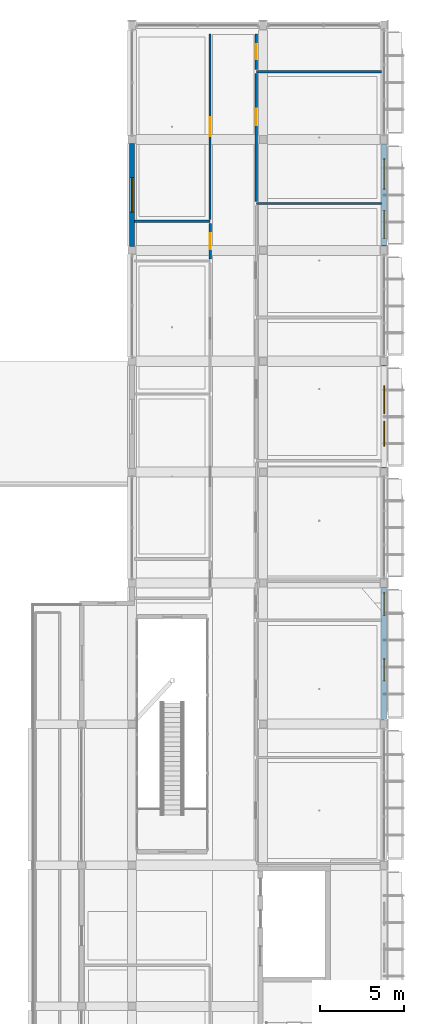
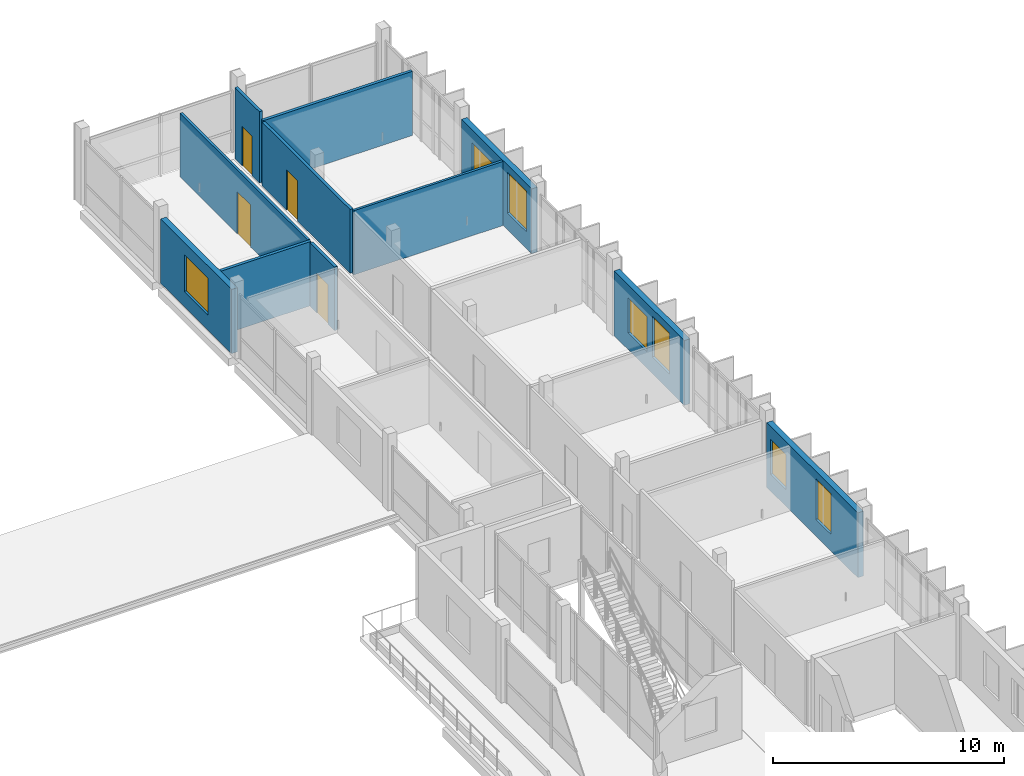
# One storey, part 62 of 86: 11 walls, 7 windows, 4 doors, 11 openings.
"""IFC4 building model written with IfcOpenShell, lengths in metres."""

from ifc_helpers import new_model, si_unit, derived_unit, direction, frame, frame_2d, origin, origin_with_axes, place, context, subcontext, project, spatial, rectangle, extrude, material, layer, layer_set, type_object, element, fill, save


model = new_model("IFC4")

# Units and contexts
model_context = context("Model", 3, precision=1e-05, world=origin(), true_north=direction((0.0, 1.0)))
body_context = subcontext(model_context, "Body", "Model", "MODEL_VIEW")
ifc_project = project(units=[si_unit("LENGTHUNIT", "METRE"), si_unit("AREAUNIT", "SQUARE_METRE"), si_unit("VOLUMEUNIT", "CUBIC_METRE"), si_unit("PLANEANGLEUNIT", "RADIAN"), si_unit("MASSUNIT", "GRAM", prefix="KILO"), derived_unit("THERMALTRANSMITTANCEUNIT", [(si_unit("POWERUNIT", "WATT"), 1), (si_unit("LENGTHUNIT", "METRE"), -2), (si_unit("THERMODYNAMICTEMPERATUREUNIT", "KELVIN"), -1)])], contexts=[model_context])

# Site, building, storey
site_placement = place(None, origin())
site = spatial("IfcSite", under=ifc_project, at=site_placement, CompositionType="ELEMENT")
building_placement = place(site_placement, origin())
building = spatial("IfcBuilding", under=site, at=building_placement, Name="Braskholm Square Health Centre", CompositionType="ELEMENT")
storey_placement = place(building_placement, frame((0.0, 0.0, 13.5)))
storey = spatial("IfcBuildingStorey", under=building, at=storey_placement, Name="L04", CompositionType="ELEMENT", Elevation=13.5)

# Wall
ifc_material_1 = material(Name="Acoustic gypsum board partition")
ifc_layer_1 = layer(ifc_material_1, 0.125)
ifc_layer_set_1 = layer_set([ifc_layer_1], Name="Acoustic gypsum board partition")
wall_type_1 = type_object("IfcWallType", Name="ClinicalExamPartition125", PredefinedType="PARTITIONING", material=ifc_layer_set_1)
wall_1_placement = place(storey_placement, frame((156.199951171875, 103.18994140625, 0.0), z_axis=(0.0, 0.0, 1.0), x_axis=(1.0, 0.0, 0.0)))
element("IfcWall", 1, at=wall_1_placement, inside=storey, type_object=wall_type_1, Name="Interior partition PWALL-L04-0451", PredefinedType="PARTITIONING", context=body_context, shape_type="SweptSolid", body=[
    extrude(rectangle(XDim=7.4599609375, YDim=0.125, at=frame_2d((3.72998046875, 0.0))), origin(), (0.0, 0.0, 1.0), 3.385009765625),
])

# Wall, opening, door
wall_2_placement = place(storey_placement, frame((153.449951171875, 102.25, 0.0), z_axis=(0.0, 0.0, 1.0), x_axis=(0.0, 1.0, 0.0)))
wall_2 = element("IfcWall", 2, at=wall_2_placement, inside=storey, type_object=wall_type_1, Name="Interior partition PWALL-L04-0475", PredefinedType="PARTITIONING", context=body_context, shape_type="SweptSolid", body=[
    extrude(rectangle(XDim=11.030029296875, YDim=0.125, at=frame_2d((5.51513671875, 0.0))), origin(), (0.0, 0.0, 1.0), 3.364990234375),
])
opening_1_placement = place(wall_2_placement, frame((4.945068359375, 0.0, 0.0)))
opening_1 = element("IfcOpeningElement", 3, at=opening_1_placement, cuts=wall_2, Name="Opening D-26", PredefinedType="OPENING", context=body_context, shape_type="SweptSolid", body=[
    extrude(rectangle(XDim=1.139892578125, YDim=2.219970703125, at=frame_2d((0.56982421875, 1.10986328125))), frame((0.0, 0.072509765625, 0.0), z_axis=(0.0, -1.0, 0.0), x_axis=(1.0, 0.0, 0.0)), (0.0, 0.0, 1.0), 0.14501953125),
])
ifc_material_2 = material(Name="Architectural bronze anodised aluminium", Category="aluminium")
door_type_1 = type_object("IfcDoorType", Name="DoorExamWide1140x2220", OperationType="NOTDEFINED", PredefinedType="DOOR", material=ifc_material_2)
door_1_placement = place(opening_1_placement, origin_with_axes())
door_1 = element("IfcDoor", 4, at=door_1_placement, inside=storey, type_object=door_type_1, Name="Interior door 0224 L04", OperationType="SINGLE_SWING_RIGHT", OverallHeight=2.219970703125, OverallWidth=1.139892578125, PredefinedType="DOOR", context=body_context, shape_type="SweptSolid", body=[
    extrude(rectangle(XDim=1.139892578125, YDim=2.219970703125, at=frame_2d((0.56982421875, 1.10986328125))), frame((0.0, 0.02490234375, 0.0), z_axis=(0.0, -1.0, 0.0), x_axis=(1.0, 0.0, 0.0)), (0.0, 0.0, 1.0), 0.050048828125),
])
fill(opening_1, door_1)

ifc_layer_2 = layer(ifc_material_1, 0.14990234375)
ifc_layer_set_2 = layer_set([ifc_layer_2], Name="Acoustic gypsum board partition")
wall_type_2 = type_object("IfcWallType", Name="CorridorAcousticPartition150", PredefinedType="PARTITIONING", material=ifc_layer_set_2)
wall_3_placement = place(storey_placement, frame((156.199951171875, 103.31005859375, 0.0), z_axis=(0.0, 0.0, 1.0), x_axis=(0.0, 1.0, 0.0)))
wall_3 = element("IfcWall", 5, at=wall_3_placement, inside=storey, type_object=wall_type_2, Name="Interior partition PWALL-L04-0452", PredefinedType="PARTITIONING", context=body_context, shape_type="SweptSolid", body=[
    extrude(rectangle(XDim=7.60986328125, YDim=0.14990234375, at=frame_2d((3.804931640625, 0.0))), origin(), (0.0, 0.0, 1.0), 3.364990234375),
])
opening_2_placement = place(wall_3_placement, frame((4.537109375, 0.0, 0.0)))
opening_2 = element("IfcOpeningElement", 6, at=opening_2_placement, cuts=wall_3, Name="Opening D-10", PredefinedType="OPENING", context=body_context, shape_type="SweptSolid", body=[
    extrude(rectangle(XDim=0.97998046875, YDim=2.1201171875, at=frame_2d((0.489990234375, 1.06005859375))), frame((0.0, 0.0849609375, 0.0), z_axis=(0.0, -1.0, 0.0), x_axis=(1.0, 0.0, 0.0)), (0.0, 0.0, 1.0), 0.169921875),
])
door_type_2 = type_object("IfcDoorType", Name="DoorUtilityStore980x2120", OperationType="NOTDEFINED", PredefinedType="DOOR", material=ifc_material_2)
door_2_placement = place(opening_2_placement, frame((0.97998046875, 0.0, 0.0), z_axis=(0.0, 0.0, 1.0), x_axis=(-1.0, 0.0, 0.0)))
door_2 = element("IfcDoor", 7, at=door_2_placement, inside=storey, type_object=door_type_2, Name="Interior door 0213 L04", OperationType="SINGLE_SWING_LEFT", OverallHeight=2.1201171875, OverallWidth=0.97998046875, PredefinedType="DOOR", context=body_context, shape_type="SweptSolid", body=[
    extrude(rectangle(XDim=0.97998046875, YDim=2.1201171875, at=frame_2d((0.489990234375, 1.06005859375))), frame((0.0, 0.02490234375, 0.0), z_axis=(0.0, -1.0, 0.0), x_axis=(1.0, 0.0, 0.0)), (0.0, 0.0, 1.0), 0.050048828125),
])
fill(opening_2, door_2)

# Wall
wall_4_placement = place(storey_placement, frame((156.199951171875, 111.0400390625, 0.0), z_axis=(0.0, 0.0, 1.0), x_axis=(1.0, 0.0, 0.0)))
element("IfcWall", 8, at=wall_4_placement, inside=storey, type_object=wall_type_2, Name="Interior partition PWALL-L04-0453", PredefinedType="PARTITIONING", context=body_context, shape_type="SweptSolid", body=[
    extrude(rectangle(XDim=7.4599609375, YDim=0.14990234375, at=frame_2d((3.72998046875, 0.0))), origin(), (0.0, 0.0, 1.0), 3.385009765625),
])

# Wall, opening, door
wall_5_placement = place(storey_placement, frame((156.199951171875, 111.159912109375, 0.0), z_axis=(0.0, 0.0, 1.0), x_axis=(0.0, 1.0, 0.0)))
wall_5 = element("IfcWall", 9, at=wall_5_placement, inside=storey, type_object=wall_type_2, Name="Interior partition PWALL-L04-0454", PredefinedType="PARTITIONING", context=body_context, shape_type="SweptSolid", body=[
    extrude(rectangle(XDim=2.1201171875, YDim=0.14990234375, at=frame_2d((1.06005859375, 0.0))), origin(), (0.0, 0.0, 1.0), 3.764892578125),
])
opening_3_placement = place(wall_5_placement, frame((0.6201171875, 0.0, 0.0)))
opening_3 = element("IfcOpeningElement", 10, at=opening_3_placement, cuts=wall_5, Name="Opening D-06", PredefinedType="OPENING", context=body_context, shape_type="SweptSolid", body=[
    extrude(rectangle(XDim=0.8798828125, YDim=2.10009765625, at=frame_2d((0.43994140625, 1.050048828125))), frame((0.0, 0.0849609375, 0.0), z_axis=(0.0, -1.0, 0.0), x_axis=(1.0, 0.0, 0.0)), (0.0, 0.0, 1.0), 0.169921875),
])
door_type_3 = type_object("IfcDoorType", Name="DoorStaffWC880x2100", OperationType="NOTDEFINED", PredefinedType="DOOR", material=ifc_material_2)
door_3_placement = place(opening_3_placement, frame((0.8798828125, 0.0, 0.0), z_axis=(0.0, 0.0, 1.0), x_axis=(-1.0, 0.0, 0.0)))
door_3 = element("IfcDoor", 11, at=door_3_placement, inside=storey, type_object=door_type_3, Name="Interior door 0214 L04", OperationType="SINGLE_SWING_RIGHT", OverallHeight=2.10009765625, OverallWidth=0.8798828125, PredefinedType="DOOR", context=body_context, shape_type="SweptSolid", body=[
    extrude(rectangle(XDim=0.8798828125, YDim=2.10009765625, at=frame_2d((0.43994140625, 1.050048828125))), frame((0.0, 0.02490234375, 0.0), z_axis=(0.0, -1.0, 0.0), x_axis=(1.0, 0.0, 0.0)), (0.0, 0.0, 1.0), 0.050048828125),
])
fill(opening_3, door_3)

wall_6_placement = place(storey_placement, frame((153.449951171875, 99.89990234375, 0.0), z_axis=(0.0, 0.0, 1.0), x_axis=(0.0, 1.0, 0.0)))
wall_6 = element("IfcWall", 12, at=wall_6_placement, inside=storey, type_object=wall_type_2, Name="Interior partition PWALL-L04-0473", PredefinedType="PARTITIONING", context=body_context, shape_type="SweptSolid", body=[
    extrude(rectangle(XDim=2.110107421875, YDim=0.14990234375, at=frame_2d((1.05517578125, 0.0))), origin(), (0.0, 0.0, 1.0), 3.364990234375),
])
opening_4_placement = place(wall_6_placement, frame((0.574951171875, 0.0, 0.0)))
opening_4 = element("IfcOpeningElement", 13, at=opening_4_placement, cuts=wall_6, Name="Opening D-05", PredefinedType="OPENING", context=body_context, shape_type="SweptSolid", body=[
    extrude(rectangle(XDim=0.9599609375, YDim=2.10009765625, at=frame_2d((0.47998046875, 1.050048828125))), frame((0.0, 0.0849609375, 0.0), z_axis=(0.0, -1.0, 0.0), x_axis=(1.0, 0.0, 0.0)), (0.0, 0.0, 1.0), 0.169921875),
])
door_type_4 = type_object("IfcDoorType", Name="DoorAccessibleWC960x2100", OperationType="NOTDEFINED", PredefinedType="DOOR", material=ifc_material_2)
door_4_placement = place(opening_4_placement, origin_with_axes())
door_4 = element("IfcDoor", 14, at=door_4_placement, inside=storey, type_object=door_type_4, Name="Interior door 0223 L04", OperationType="SINGLE_SWING_LEFT", OverallHeight=2.10009765625, OverallWidth=0.9599609375, PredefinedType="DOOR", context=body_context, shape_type="SweptSolid", body=[
    extrude(rectangle(XDim=0.9599609375, YDim=2.10009765625, at=frame_2d((0.47998046875, 1.050048828125))), frame((0.0, 0.02490234375, 0.0), z_axis=(0.0, -1.0, 0.0), x_axis=(1.0, 0.0, 0.0)), (0.0, 0.0, 1.0), 0.050048828125),
])
fill(opening_4, door_4)

# Wall
wall_7_placement = place(storey_placement, frame((148.93994140625, 102.1298828125, 0.0), z_axis=(0.0, 0.0, 1.0), x_axis=(1.0, 0.0, 0.0)))
element("IfcWall", 15, at=wall_7_placement, inside=storey, type_object=wall_type_2, Name="Interior partition PWALL-L04-0474", PredefinedType="PARTITIONING", context=body_context, shape_type="SweptSolid", body=[
    extrude(rectangle(XDim=4.510009765625, YDim=0.14990234375, at=frame_2d((2.2548828125, 0.0))), origin(), (0.0, 0.0, 1.0), 3.385009765625),
])

# Wall, openings, windows
ifc_material_3 = material(Name="Precast concrete C40/50 architectural white", Category="concrete")
ifc_layer_3 = layer(ifc_material_3, 0.280029296875)
ifc_layer_set_3 = layer_set([ifc_layer_3], Name="Precast concrete C40/50 architectural white")
wall_type_3 = type_object("IfcWallType", Name="ExteriorPrecastSpandrelWall280", PredefinedType="SOLIDWALL", material=ifc_layer_set_3)
wall_8_placement = place(storey_placement, frame((163.800048828125, 72.4619140625, 0.0), z_axis=(0.0, 0.0, 1.0), x_axis=(0.0, 1.0, 0.0)))
wall_8 = element("IfcWall", 16, at=wall_8_placement, inside=storey, type_object=wall_type_3, Name="Exterior wall EWALL-L04-0083", PredefinedType="SOLIDWALL", context=body_context, shape_type="SweptSolid", body=[
    extrude(rectangle(XDim=7.8759765625, YDim=0.280029296875, at=frame_2d((3.93798828125, 0.0))), origin(), (0.0, 0.0, 1.0), 3.419921875),
])
opening_5_placement = place(wall_8_placement, frame((2.305908203125, 0.0, 0.8798828125)))
opening_5 = element("IfcOpeningElement", 17, at=opening_5_placement, cuts=wall_8, Name="Opening WN-39", PredefinedType="OPENING", context=body_context, shape_type="SweptSolid", body=[
    extrude(rectangle(XDim=1.320068359375, YDim=2.14990234375, at=frame_2d((0.66015625, 1.074951171875))), frame((0.0, 0.14990234375, 0.0), z_axis=(0.0, -1.0, 0.0), x_axis=(1.0, 0.0, 0.0)), (0.0, 0.0, 1.0), 0.300048828125),
])
opening_6_placement = place(wall_8_placement, frame((6.205078125, 0.0, 0.8798828125)))
opening_6 = element("IfcOpeningElement", 18, at=opening_6_placement, cuts=wall_8, Name="Opening WN-08", PredefinedType="OPENING", context=body_context, shape_type="SweptSolid", body=[
    extrude(rectangle(XDim=1.35009765625, YDim=1.85009765625, at=frame_2d((0.675048828125, 0.925048828125))), frame((0.0, 0.14990234375, 0.0), z_axis=(0.0, -1.0, 0.0), x_axis=(1.0, 0.0, 0.0)), (0.0, 0.0, 1.0), 0.300048828125),
])
ifc_material_4 = material(Name="Low-E triple insulating glass (VLT 0.64)", Category="glass")
window_type_1 = type_object("IfcWindowType", Name="WinArtDecoTall1320x2150", PartitioningType="SINGLE_PANEL", PredefinedType="WINDOW", material=ifc_material_4)
window_1_placement = place(opening_5_placement, origin_with_axes())
window_1 = element("IfcWindow", 19, at=window_1_placement, inside=storey, type_object=window_type_1, Name="Exterior window 0147 L04", OverallHeight=2.14990234375, OverallWidth=1.320068359375, PartitioningType="SINGLE_PANEL", PredefinedType="WINDOW", context=body_context, shape_type="SweptSolid", body=[
    extrude(rectangle(XDim=1.320068359375, YDim=2.14990234375, at=frame_2d((0.66015625, 1.074951171875))), frame((0.0, 0.030029296875, 0.0), z_axis=(0.0, -1.0, 0.0), x_axis=(1.0, 0.0, 0.0)), (0.0, 0.0, 1.0), 0.06005859375),
])
fill(opening_5, window_1)
window_type_2 = type_object("IfcWindowType", Name="WinClinicalBay1350x1850", PartitioningType="SINGLE_PANEL", PredefinedType="WINDOW", material=ifc_material_4)
window_2_placement = place(opening_6_placement, origin_with_axes())
window_2 = element("IfcWindow", 20, at=window_2_placement, inside=storey, type_object=window_type_2, Name="Exterior window 0148 L04", OverallHeight=1.85009765625, OverallWidth=1.35009765625, PartitioningType="SINGLE_PANEL", PredefinedType="WINDOW", context=body_context, shape_type="SweptSolid", body=[
    extrude(rectangle(XDim=1.35009765625, YDim=1.85009765625, at=frame_2d((0.675048828125, 0.925048828125))), frame((0.0, 0.030029296875, 0.0), z_axis=(0.0, -1.0, 0.0), x_axis=(1.0, 0.0, 0.0)), (0.0, 0.0, 1.0), 0.06005859375),
])
fill(opening_6, window_2)

wall_9_placement = place(storey_placement, frame((163.800048828125, 87.4619140625, 0.0), z_axis=(0.0, 0.0, 1.0), x_axis=(0.0, 1.0, 0.0)))
wall_9 = element("IfcWall", 21, at=wall_9_placement, inside=storey, type_object=wall_type_3, Name="Exterior wall EWALL-L04-0084", PredefinedType="SOLIDWALL", context=body_context, shape_type="SweptSolid", body=[
    extrude(rectangle(XDim=6.076171875, YDim=0.280029296875, at=frame_2d((3.0380859375, 0.0))), origin(), (0.0, 0.0, 1.0), 3.419921875),
])
opening_7_placement = place(wall_9_placement, frame((1.284912109375, 0.0, 0.8798828125)))
opening_7 = element("IfcOpeningElement", 22, at=opening_7_placement, cuts=wall_9, Name="Opening WN-40", PredefinedType="OPENING", context=body_context, shape_type="SweptSolid", body=[
    extrude(rectangle(XDim=1.47998046875, YDim=2.14990234375, at=frame_2d((0.739990234375, 1.074951171875))), frame((0.0, 0.14990234375, 0.0), z_axis=(0.0, -1.0, 0.0), x_axis=(1.0, 0.0, 0.0)), (0.0, 0.0, 1.0), 0.300048828125),
])
opening_8_placement = place(wall_9_placement, frame((3.22607421875, 0.0, 0.8798828125)))
opening_8 = element("IfcOpeningElement", 23, at=opening_8_placement, cuts=wall_9, Name="Opening WN-10", PredefinedType="OPENING", context=body_context, shape_type="SweptSolid", body=[
    extrude(rectangle(XDim=1.64990234375, YDim=1.85009765625, at=frame_2d((0.824951171875, 0.925048828125))), frame((0.0, 0.14990234375, 0.0), z_axis=(0.0, -1.0, 0.0), x_axis=(1.0, 0.0, 0.0)), (0.0, 0.0, 1.0), 0.300048828125),
])
window_type_3 = type_object("IfcWindowType", Name="WinArtDecoTall1480x2150", PartitioningType="SINGLE_PANEL", PredefinedType="WINDOW", material=ifc_material_4)
window_3_placement = place(opening_7_placement, origin_with_axes())
window_3 = element("IfcWindow", 24, at=window_3_placement, inside=storey, type_object=window_type_3, Name="Exterior window 0149 L04", OverallHeight=2.14990234375, OverallWidth=1.47998046875, PartitioningType="SINGLE_PANEL", PredefinedType="WINDOW", context=body_context, shape_type="SweptSolid", body=[
    extrude(rectangle(XDim=1.47998046875, YDim=2.14990234375, at=frame_2d((0.739990234375, 1.074951171875))), frame((0.0, 0.030029296875, 0.0), z_axis=(0.0, -1.0, 0.0), x_axis=(1.0, 0.0, 0.0)), (0.0, 0.0, 1.0), 0.06005859375),
])
fill(opening_7, window_3)
window_type_4 = type_object("IfcWindowType", Name="WinClinicalBay1650x1850", PartitioningType="SINGLE_PANEL", PredefinedType="WINDOW", material=ifc_material_4)
window_4_placement = place(opening_8_placement, origin_with_axes())
window_4 = element("IfcWindow", 25, at=window_4_placement, inside=storey, type_object=window_type_4, Name="Exterior window 0150 L04", OverallHeight=1.85009765625, OverallWidth=1.64990234375, PartitioningType="SINGLE_PANEL", PredefinedType="WINDOW", context=body_context, shape_type="SweptSolid", body=[
    extrude(rectangle(XDim=1.64990234375, YDim=1.85009765625, at=frame_2d((0.824951171875, 0.925048828125))), frame((0.0, 0.030029296875, 0.0), z_axis=(0.0, -1.0, 0.0), x_axis=(1.0, 0.0, 0.0)), (0.0, 0.0, 1.0), 0.06005859375),
])
fill(opening_8, window_4)

wall_10_placement = place(storey_placement, frame((163.800048828125, 100.662109375, 0.0), z_axis=(0.0, 0.0, 1.0), x_axis=(0.0, 1.0, 0.0)))
wall_10 = element("IfcWall", 26, at=wall_10_placement, inside=storey, type_object=wall_type_3, Name="Exterior wall EWALL-L04-0085", PredefinedType="SOLIDWALL", context=body_context, shape_type="SweptSolid", body=[
    extrude(rectangle(XDim=6.075927734375, YDim=0.280029296875, at=frame_2d((3.0380859375, 0.0))), origin(), (0.0, 0.0, 1.0), 3.419921875),
])
opening_9_placement = place(wall_10_placement, frame((0.452880859375, 0.0, 0.8798828125)))
opening_9 = element("IfcOpeningElement", 27, at=opening_9_placement, cuts=wall_10, Name="Opening WN-41", PredefinedType="OPENING", context=body_context, shape_type="SweptSolid", body=[
    extrude(rectangle(XDim=1.659912109375, YDim=2.14990234375, at=frame_2d((0.830078125, 1.074951171875))), frame((0.0, 0.14990234375, 0.0), z_axis=(0.0, -1.0, 0.0), x_axis=(1.0, 0.0, 0.0)), (0.0, 0.0, 1.0), 0.300048828125),
])
opening_10_placement = place(wall_10_placement, frame((3.383056640625, 0.0, 0.8798828125)))
opening_10 = element("IfcOpeningElement", 28, at=opening_10_placement, cuts=wall_10, Name="Opening WN-11", PredefinedType="OPENING", context=body_context, shape_type="SweptSolid", body=[
    extrude(rectangle(XDim=1.800048828125, YDim=1.85009765625, at=frame_2d((0.89990234375, 0.925048828125))), frame((0.0, 0.14990234375, 0.0), z_axis=(0.0, -1.0, 0.0), x_axis=(1.0, 0.0, 0.0)), (0.0, 0.0, 1.0), 0.300048828125),
])
window_type_5 = type_object("IfcWindowType", Name="WinArtDecoTall1660x2150", PartitioningType="SINGLE_PANEL", PredefinedType="WINDOW", material=ifc_material_4)
window_5_placement = place(opening_9_placement, origin_with_axes())
window_5 = element("IfcWindow", 29, at=window_5_placement, inside=storey, type_object=window_type_5, Name="Exterior window 0151 L04", OverallHeight=2.14990234375, OverallWidth=1.659912109375, PartitioningType="SINGLE_PANEL", PredefinedType="WINDOW", context=body_context, shape_type="SweptSolid", body=[
    extrude(rectangle(XDim=1.659912109375, YDim=2.14990234375, at=frame_2d((0.830078125, 1.074951171875))), frame((0.0, 0.030029296875, 0.0), z_axis=(0.0, -1.0, 0.0), x_axis=(1.0, 0.0, 0.0)), (0.0, 0.0, 1.0), 0.06005859375),
])
fill(opening_9, window_5)
window_type_6 = type_object("IfcWindowType", Name="WinClinicalBay1800x1850", PartitioningType="SINGLE_PANEL", PredefinedType="WINDOW", material=ifc_material_4)
window_6_placement = place(opening_10_placement, origin_with_axes())
window_6 = element("IfcWindow", 30, at=window_6_placement, inside=storey, type_object=window_type_6, Name="Exterior window 0152 L04", OverallHeight=1.85009765625, OverallWidth=1.800048828125, PartitioningType="SINGLE_PANEL", PredefinedType="WINDOW", context=body_context, shape_type="SweptSolid", body=[
    extrude(rectangle(XDim=1.800048828125, YDim=1.85009765625, at=frame_2d((0.89990234375, 0.925048828125))), frame((0.0, 0.030029296875, 0.0), z_axis=(0.0, -1.0, 0.0), x_axis=(1.0, 0.0, 0.0)), (0.0, 0.0, 1.0), 0.06005859375),
])
fill(opening_10, window_6)

# Wall, opening, window
wall_11_placement = place(storey_placement, frame((148.800048828125, 106.77294921875, 0.0), z_axis=(0.0, 0.0, 1.0), x_axis=(0.0, -1.0, 0.0)))
wall_11 = element("IfcWall", 31, at=wall_11_placement, inside=storey, type_object=wall_type_3, Name="Exterior wall EWALL-L04-0200", PredefinedType="SOLIDWALL", context=body_context, shape_type="SweptSolid", body=[
    extrude(rectangle(XDim=6.14599609375, YDim=0.280029296875, at=frame_2d((3.072998046875, 0.0))), origin(), (0.0, 0.0, 1.0), 3.389892578125),
])
opening_11_placement = place(wall_11_placement, frame((2.048095703125, 0.0, 0.800048828125)))
opening_11 = element("IfcOpeningElement", 32, at=opening_11_placement, cuts=wall_11, Name="Opening WN-25", PredefinedType="OPENING", context=body_context, shape_type="SweptSolid", body=[
    extrude(rectangle(XDim=2.050048828125, YDim=1.949951171875, at=frame_2d((1.02490234375, 0.97509765625))), frame((0.0, 0.14990234375, 0.0), z_axis=(0.0, -1.0, 0.0), x_axis=(1.0, 0.0, 0.0)), (0.0, 0.0, 1.0), 0.300048828125),
])
window_type_7 = type_object("IfcWindowType", Name="WinValleyTerrace2050x1950", PartitioningType="SINGLE_PANEL", PredefinedType="WINDOW", material=ifc_material_4)
window_7_placement = place(opening_11_placement, origin_with_axes())
window_7 = element("IfcWindow", 33, at=window_7_placement, inside=storey, type_object=window_type_7, Name="Exterior window 0252 L04", OverallHeight=1.949951171875, OverallWidth=2.050048828125, PartitioningType="SINGLE_PANEL", PredefinedType="WINDOW", context=body_context, shape_type="SweptSolid", body=[
    extrude(rectangle(XDim=2.050048828125, YDim=1.949951171875, at=frame_2d((1.02490234375, 0.97509765625))), frame((0.0, 0.030029296875, 0.0), z_axis=(0.0, -1.0, 0.0), x_axis=(1.0, 0.0, 0.0)), (0.0, 0.0, 1.0), 0.06005859375),
])
fill(opening_11, window_7)

save(model, "model.ifc")
